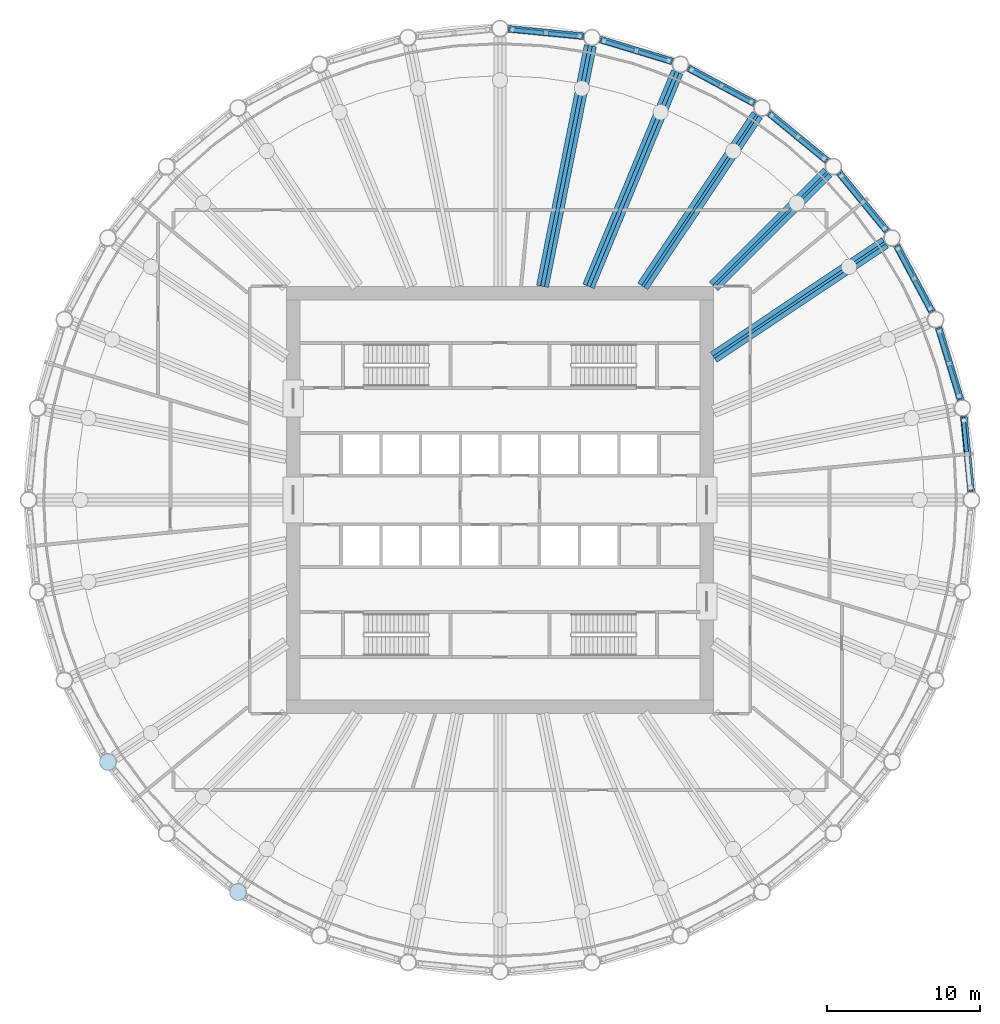
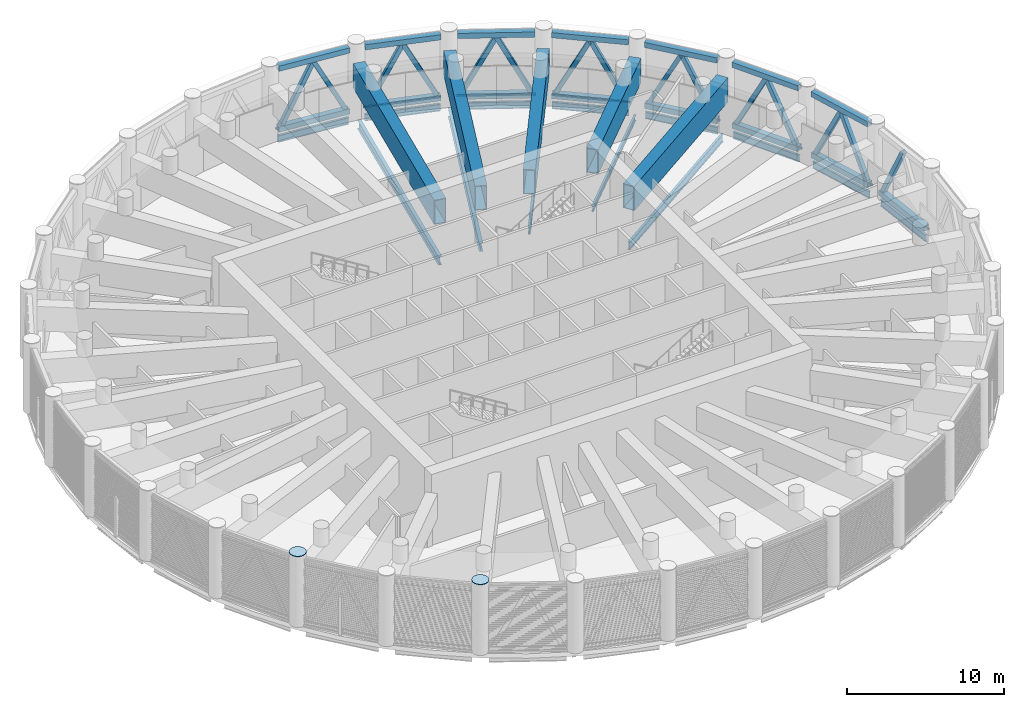
# One storey, part 4 of 23: 38 members, 18 beams, 2 plates, 8 elements without a shape of their own.
"""IFC4 building model written with IfcOpenShell, lengths in metres."""

from ifc_helpers import new_model, si_unit, direction, frame, origin, origin_2d, place, context, subcontext, project, spatial, polyline, rectangle, hollow_rectangle, i_section, outline, extrude, material, layer, layer_set, material_profile, profile_set, type_object, element, aggregate, save


model = new_model("IFC4")

# Units and contexts
model_context = context("Model", 3, precision=1e-05, world=origin(), true_north=direction((0.0, 1.0)))
body_context = subcontext(model_context, "Body", "Model", "MODEL_VIEW")
ifc_project = project(units=[si_unit("LENGTHUNIT", "METRE"), si_unit("AREAUNIT", "SQUARE_METRE"), si_unit("VOLUMEUNIT", "CUBIC_METRE"), si_unit("PLANEANGLEUNIT", "RADIAN"), si_unit("MASSUNIT", "GRAM", prefix="KILO")], contexts=[model_context])

# Site, building, storey
site_placement = place(None, origin())
site = spatial("IfcSite", under=ifc_project, at=site_placement, CompositionType="ELEMENT")
building_placement = place(site_placement, origin())
building = spatial("IfcBuilding", under=site, at=building_placement, Name="Corvane Civic Tower", CompositionType="ELEMENT")
storey_placement = place(building_placement, frame((0.0, 0.0, 196.0)))
storey = spatial("IfcBuildingStorey", under=building, at=storey_placement, Name="L46", CompositionType="ELEMENT", Elevation=196.0)

# Members
ifc_material_1 = material(Name="Steel ASTM A500 Gr C", Category="steel")
ifc_material_profile_1 = material_profile(ifc_material_1, hollow_rectangle(XDim=0.406494140625, YDim=0.406494140625, WallThickness=0.0146484375, at=origin_2d()), Name="HSS16X16X5/8")
ifc_profile_set_1 = profile_set([ifc_material_profile_1], Name="Steel ASTM A500 Gr C")
member_type_1 = type_object("IfcMemberType", Name="BELT CHORD HSS16X16X5/8", PredefinedType="CHORD", material=ifc_profile_set_1)
for number, where, z_axis, x_axis, name in (
    (1, (0.54736328125, 30.845947265625, 4.94677734375), (0.995186236294, -0.09800181167, 0.0), (0.09800181167, 0.995186236294, 0.0), "Belt truss BT-L46"),
    (2, (0.54736328125, 30.845947265625, 0.203125), (0.995186236294, -0.09800181167, 0.0), (0.09800181167, 0.995186236294, 0.0), "Belt truss BT-L46"),
):
    element("IfcMember", number, at=place(storey_placement, frame(where, z_axis=z_axis, x_axis=x_axis)), inside=storey, type_object=member_type_1, Name=name, PredefinedType="CHORD", context=body_context, shape_type="SweptSolid", body=[
        extrude(hollow_rectangle(XDim=0.406494140625, YDim=0.406494140625, WallThickness=0.0146484375, at=origin_2d()), origin(), (0.0, 0.0, 1.0), 4.95751953125),
    ])
for number, where, z_axis, x_axis, name in (
    (3, (6.5546875, 30.146484375, 4.94677734375), (0.956944842086, -0.290269821381, 0.0), (0.290269821381, 0.956944842086, 0.0), "Belt truss BT-L46"),
    (4, (6.5546875, 30.146484375, 0.203125), (0.956944842086, -0.290269821381, 0.0), (0.290269821381, 0.956944842086, 0.0), "Belt truss BT-L46"),
):
    element("IfcMember", number, at=place(storey_placement, frame(where, z_axis=z_axis, x_axis=x_axis)), inside=storey, type_object=member_type_1, Name=name, PredefinedType="CHORD", context=body_context, shape_type="SweptSolid", body=[
        extrude(hollow_rectangle(XDim=0.406494140625, YDim=0.406494140625, WallThickness=0.0146484375, at=origin_2d()), origin(), (0.0, 0.0, 1.0), 4.957275390625),
    ])
for number, where, z_axis, x_axis, name in (
    (5, (12.31005859375, 28.28857421875, 4.94677734375), (0.881921784846, -0.471395763042, 0.0), (0.471395763042, 0.881921784846, 0.0), "Belt truss BT-L46"),
    (6, (12.31005859375, 28.28857421875, 0.203125), (0.881921784846, -0.471395763042, 0.0), (0.471395763042, 0.881921784846, 0.0), "Belt truss BT-L46"),
    (7, (17.59228515625, 25.343505859375, 4.94677734375), (0.77301516208, -0.634387546532, 0.0), (0.634387546532, 0.77301516208, 0.0), "Belt truss BT-L46"),
    (8, (17.59228515625, 25.343505859375, 0.203125), (0.77301516208, -0.634387546532, 0.0), (0.634387546532, 0.77301516208, 0.0), "Belt truss BT-L46"),
    (9, (22.198486328125, 21.424560546875, 4.94677734375), (0.634387546532, -0.77301516208, 0.0), (0.77301516208, 0.634387546532, 0.0), "Belt truss BT-L46"),
    (10, (22.198486328125, 21.424560546875, 0.203125), (0.634387546532, -0.77301516208, 0.0), (0.77301516208, 0.634387546532, 0.0), "Belt truss BT-L46"),
    (11, (25.95166015625, 16.68212890625, 4.94677734375), (0.471395763042, -0.881921784846, 0.0), (0.881921784846, 0.471395763042, 0.0), "Belt truss BT-L46"),
    (12, (25.95166015625, 16.68212890625, 0.203125), (0.471395763042, -0.881921784846, 0.0), (0.881921784846, 0.471395763042, 0.0), "Belt truss BT-L46"),
):
    element("IfcMember", number, at=place(storey_placement, frame(where, z_axis=z_axis, x_axis=x_axis)), inside=storey, type_object=member_type_1, Name=name, PredefinedType="CHORD", context=body_context, shape_type="SweptSolid", body=[
        extrude(hollow_rectangle(XDim=0.406494140625, YDim=0.406494140625, WallThickness=0.0146484375, at=origin_2d()), origin(), (0.0, 0.0, 1.0), 4.95751953125),
    ])
for number, where, z_axis, x_axis, name in (
    (13, (28.70751953125, 11.298583984375, 4.94677734375), (0.290269821381, -0.956944842086, 0.0), (0.956944842086, 0.290269821381, 0.0), "Belt truss BT-L46"),
    (14, (28.70751953125, 11.298583984375, 0.203125), (0.290269821381, -0.956944842086, 0.0), (0.956944842086, 0.290269821381, 0.0), "Belt truss BT-L46"),
):
    element("IfcMember", number, at=place(storey_placement, frame(where, z_axis=z_axis, x_axis=x_axis)), inside=storey, type_object=member_type_1, Name=name, PredefinedType="CHORD", context=body_context, shape_type="SweptSolid", body=[
        extrude(hollow_rectangle(XDim=0.406494140625, YDim=0.406494140625, WallThickness=0.0146484375, at=origin_2d()), origin(), (0.0, 0.0, 1.0), 4.957275390625),
    ])
member_1_placement = place(storey_placement, frame((30.360107421875, 5.48095703125, 0.203125), z_axis=(0.09800181167, -0.995186236294, 0.0), x_axis=(0.995186236294, 0.09800181167, 0.0)))
element("IfcMember", 15, at=member_1_placement, inside=storey, type_object=member_type_1, Name="Belt truss BT-L46", PredefinedType="CHORD", context=body_context, shape_type="SweptSolid", body=[
    extrude(hollow_rectangle(XDim=0.406494140625, YDim=0.406494140625, WallThickness=0.0146484375, at=origin_2d()), origin(), (0.0, 0.0, 1.0), 4.95751953125),
])
ifc_material_2 = material(Name="Steel ASTM A500 Gr C", Category="steel")
ifc_material_profile_2 = material_profile(ifc_material_2, hollow_rectangle(XDim=0.3046875, YDim=0.3046875, WallThickness=0.01171875, at=origin_2d()), Name="HSS12X12X1/2")
ifc_profile_set_2 = profile_set([ifc_material_profile_2], Name="Steel ASTM A500 Gr C")
member_type_2 = type_object("IfcMemberType", Name="BELT DIAGONAL HSS12X12X1/2", PredefinedType="BRACE", material=ifc_profile_set_2)
for number, where, z_axis, x_axis, name in (
    (16, (0.796142578125, 30.821533203125, 0.406494140625), (0.454856799935, -0.04480977831, 0.889436549351), (0.098039445672, 0.995182529535, 0.0), "Belt truss BT-L46"),
    (17, (5.232177734375, 30.384521484375, 0.406494140625), (-0.454856799935, 0.04480977831, 0.889436549351), (-0.098039445672, -0.995182529535, 0.0), "Belt truss BT-L46"),
    (18, (6.7939453125, 30.073974609375, 0.406494140625), (0.437382422958, -0.132676673631, 0.88943438002), (0.290281003113, 0.956941450263, 0.0), "Belt truss BT-L46"),
    (19, (11.059326171875, 28.780029296875, 0.406494140625), (-0.437341932882, 0.132679578951, 0.889453856629), (-0.290311434389, -0.956932218636, 0.0), "Belt truss BT-L46"),
    (20, (12.530517578125, 28.170654296875, 0.406494140625), (0.403089677628, -0.215438440297, 0.889440830091), (0.471366987968, 0.881937164799, 0.0), "Belt truss BT-L46"),
    (21, (16.461669921875, 26.069580078125, 0.406494140625), (-0.403089677628, 0.215438440297, 0.889440830091), (-0.471366987968, -0.881937164799, 0.0), "Belt truss BT-L46"),
    (22, (17.78564453125, 25.184814453125, 0.406494140625), (0.353278113632, -0.289942397399, 0.889453754064), (0.634412297513, 0.772994849119, 0.0), "Belt truss BT-L46"),
    (23, (21.231201171875, 22.357177734375, 0.406494140625), (-0.353321931501, 0.289937268715, 0.889438020848), (-0.634358576792, -0.773038935663, 0.0), "Belt truss BT-L46"),
    (24, (22.357177734375, 21.231201171875, 0.406494140625), (0.289937268715, -0.353321931501, 0.889438020848), (0.773038935663, 0.634358576792, 0.0), "Belt truss BT-L46"),
    (25, (25.184814453125, 17.78564453125, 0.406494140625), (-0.289942397399, 0.353278113632, 0.889453754064), (-0.772994849119, -0.634412297513, 0.0), "Belt truss BT-L46"),
    (26, (26.069580078125, 16.461669921875, 0.406494140625), (0.215438440297, -0.403089677628, 0.889440830091), (0.881937164799, 0.471366987968, 0.0), "Belt truss BT-L46"),
    (27, (28.170654296875, 12.530517578125, 0.406494140625), (-0.215438440297, 0.403089677628, 0.889440830091), (-0.881937164799, -0.471366987968, 0.0), "Belt truss BT-L46"),
    (28, (28.780029296875, 11.059326171875, 0.406494140625), (0.132679578951, -0.437341932882, 0.889453856629), (0.956932218636, 0.290311434389, 0.0), "Belt truss BT-L46"),
    (29, (30.073974609375, 6.7939453125, 0.406494140625), (-0.132676673631, 0.437382422958, 0.88943438002), (-0.956941450263, -0.290281003113, 0.0), "Belt truss BT-L46"),
    (30, (30.384521484375, 5.232177734375, 0.406494140625), (0.04480977831, -0.454856799935, 0.889436549351), (0.995182529535, 0.098039445672, 0.0), "Belt truss BT-L46"),
):
    element("IfcMember", number, at=place(storey_placement, frame(where, z_axis=z_axis, x_axis=x_axis)), inside=storey, type_object=member_type_2, Name=name, PredefinedType="BRACE", context=body_context, shape_type="SweptSolid", body=[
        extrude(hollow_rectangle(XDim=0.3046875, YDim=0.3046875, WallThickness=0.01171875, at=origin_2d()), origin(), (0.0, 0.0, 1.0), 4.876220703125),
    ])

# Beams
ifc_material_3 = material(Name="Steel ASTM A992 Gr 50", Category="steel")
ifc_material_profile_3 = material_profile(ifc_material_3, i_section(OverallWidth=0.165771484375, OverallDepth=0.5283203125, WebThickness=0.009765625, FlangeThickness=0.013671875, at=origin_2d()), Name="W21X50")
ifc_profile_set_3 = profile_set([ifc_material_profile_3], Name="Steel ASTM A992 Gr 50")
beam_type_1 = type_object("IfcBeamType", Name="EDGE BEAM W21X50", PredefinedType="BEAM", material=ifc_profile_set_3)
beam_1_placement = place(storey_placement, frame((0.54736328125, 30.845947265625, -0.6142578125), z_axis=(0.995186236294, -0.09800181167, 0.0), x_axis=(0.09800181167, 0.995186236294, 0.0)))
element("IfcBeam", 31, at=beam_1_placement, inside=storey, type_object=beam_type_1, Name="BM-L46-E01", PredefinedType="BEAM", context=body_context, shape_type="SweptSolid", body=[
    extrude(i_section(OverallWidth=0.165771484375, OverallDepth=0.5283203125, WebThickness=0.009765625, FlangeThickness=0.013671875, at=origin_2d()), origin(), (0.0, 0.0, 1.0), 4.95751953125),
])
beam_2_placement = place(storey_placement, frame((6.5546875, 30.146484375, -0.6142578125), z_axis=(0.956944842086, -0.290269821381, 0.0), x_axis=(0.290269821381, 0.956944842086, 0.0)))
element("IfcBeam", 32, at=beam_2_placement, inside=storey, type_object=beam_type_1, Name="BM-L46-E02", PredefinedType="BEAM", context=body_context, shape_type="SweptSolid", body=[
    extrude(i_section(OverallWidth=0.165771484375, OverallDepth=0.5283203125, WebThickness=0.009765625, FlangeThickness=0.013671875, at=origin_2d()), origin(), (0.0, 0.0, 1.0), 4.957275390625),
])
for number, where, z_axis, x_axis, name in (
    (33, (12.31005859375, 28.28857421875, -0.6142578125), (0.881921784846, -0.471395763042, 0.0), (0.471395763042, 0.881921784846, 0.0), "BM-L46-E03"),
    (34, (17.59228515625, 25.343505859375, -0.6142578125), (0.77301516208, -0.634387546532, 0.0), (0.634387546532, 0.77301516208, 0.0), "BM-L46-E04"),
    (35, (22.198486328125, 21.424560546875, -0.6142578125), (0.634387546532, -0.77301516208, 0.0), (0.77301516208, 0.634387546532, 0.0), "BM-L46-E05"),
    (36, (25.95166015625, 16.68212890625, -0.6142578125), (0.471395763042, -0.881921784846, 0.0), (0.881921784846, 0.471395763042, 0.0), "BM-L46-E06"),
):
    element("IfcBeam", number, at=place(storey_placement, frame(where, z_axis=z_axis, x_axis=x_axis)), inside=storey, type_object=beam_type_1, Name=name, PredefinedType="BEAM", context=body_context, shape_type="SweptSolid", body=[
        extrude(i_section(OverallWidth=0.165771484375, OverallDepth=0.5283203125, WebThickness=0.009765625, FlangeThickness=0.013671875, at=origin_2d()), origin(), (0.0, 0.0, 1.0), 4.95751953125),
    ])
beam_3_placement = place(storey_placement, frame((28.70751953125, 11.298583984375, -0.6142578125), z_axis=(0.290269821381, -0.956944842086, 0.0), x_axis=(0.956944842086, 0.290269821381, 0.0)))
element("IfcBeam", 37, at=beam_3_placement, inside=storey, type_object=beam_type_1, Name="BM-L46-E07", PredefinedType="BEAM", context=body_context, shape_type="SweptSolid", body=[
    extrude(i_section(OverallWidth=0.165771484375, OverallDepth=0.5283203125, WebThickness=0.009765625, FlangeThickness=0.013671875, at=origin_2d()), origin(), (0.0, 0.0, 1.0), 4.957275390625),
])
beam_4_placement = place(storey_placement, frame((30.360107421875, 5.48095703125, -0.6142578125), z_axis=(0.09800181167, -0.995186236294, 0.0), x_axis=(0.995186236294, 0.09800181167, 0.0)))
element("IfcBeam", 38, at=beam_4_placement, inside=storey, type_object=beam_type_1, Name="BM-L46-E08", PredefinedType="BEAM", context=body_context, shape_type="SweptSolid", body=[
    extrude(i_section(OverallWidth=0.165771484375, OverallDepth=0.5283203125, WebThickness=0.009765625, FlangeThickness=0.013671875, at=origin_2d()), origin(), (0.0, 0.0, 1.0), 4.95751953125),
])
ifc_material_4 = material(Name="Steel ASTM A992 Gr 50", Category="steel")
ifc_material_profile_4 = material_profile(ifc_material_4, i_section(OverallWidth=0.15283203125, OverallDepth=0.45458984375, WebThickness=0.008056640625, FlangeThickness=0.013427734375, at=origin_2d()), Name="W18X40")
ifc_profile_set_4 = profile_set([ifc_material_profile_4], Name="Steel ASTM A992 Gr 50")
beam_type_2 = type_object("IfcBeamType", Name="FLOOR GIRDER W18X40", PredefinedType="BEAM", material=ifc_profile_set_4)
beam_5_placement = place(storey_placement, frame((14.0, 14.0, -0.577392578125), z_axis=(0.707106781187, 0.707106781187, 0.0), x_axis=(-0.707106781187, 0.707106781187, 0.0)))
element("IfcBeam", 39, at=beam_5_placement, inside=storey, type_object=beam_type_2, Name="BM-L46-G05", PredefinedType="BEAM", context=body_context, shape_type="SweptSolid", body=[
    extrude(i_section(OverallWidth=0.15283203125, OverallDepth=0.45458984375, WebThickness=0.008056640625, FlangeThickness=0.013427734375, at=origin_2d()), origin(), (0.0, 0.0, 1.0), 10.551025390625),
])
ifc_material_5 = material(Name="Steel ASTM A992 Gr 50", Category="steel")
ifc_material_profile_5 = material_profile(ifc_material_5, i_section(OverallWidth=0.177978515625, OverallDepth=0.599365234375, WebThickness=0.010009765625, FlangeThickness=0.012939453125, at=origin_2d()), Name="W24X55")
ifc_profile_set_5 = profile_set([ifc_material_profile_5], Name="Steel ASTM A992 Gr 50")
beam_type_3 = type_object("IfcBeamType", Name="FLOOR GIRDER W24X55", PredefinedType="BEAM", material=ifc_profile_set_5)
for number, where, z_axis, x_axis, name in (
    (40, (9.3544921875, 14.0, -0.649658203125), (0.555571323015, 0.83146888399, 0.0), (-0.83146888399, 0.555571323015, 0.0), "BM-L46-G04"),
    (41, (14.0, 9.3544921875, -0.649658203125), (0.83146888399, 0.555571323015, 0.0), (-0.555571323015, 0.83146888399, 0.0), "BM-L46-G06"),
):
    element("IfcBeam", number, at=place(storey_placement, frame(where, z_axis=z_axis, x_axis=x_axis)), inside=storey, type_object=beam_type_3, Name=name, PredefinedType="BEAM", context=body_context, shape_type="SweptSolid", body=[
        extrude(i_section(OverallWidth=0.177978515625, OverallDepth=0.599365234375, WebThickness=0.010009765625, FlangeThickness=0.012939453125, at=origin_2d()), origin(), (0.0, 0.0, 1.0), 13.512451171875),
    ])
ifc_material_6 = material(Name="Steel ASTM A992 Gr 50", Category="steel")
ifc_material_profile_6 = material_profile(ifc_material_6, i_section(OverallWidth=0.25390625, OverallDepth=0.67822265625, WebThickness=0.01171875, FlangeThickness=0.016357421875, at=origin_2d()), Name="W27X84")
ifc_profile_set_6 = profile_set([ifc_material_profile_6], Name="Steel ASTM A992 Gr 50")
beam_type_4 = type_object("IfcBeamType", Name="FLOOR GIRDER W27X84", PredefinedType="BEAM", material=ifc_profile_set_6)
beam_6_placement = place(storey_placement, frame((2.78466796875, 14.0, -0.689208984375), z_axis=(0.195090912248, 0.980785162999, 0.0), x_axis=(-0.980785162999, 0.195090912248, 0.0)))
element("IfcBeam", 42, at=beam_6_placement, inside=storey, type_object=beam_type_4, Name="BM-L46-G02", PredefinedType="BEAM", context=body_context, shape_type="SweptSolid", body=[
    extrude(i_section(OverallWidth=0.25390625, OverallDepth=0.67822265625, WebThickness=0.01171875, FlangeThickness=0.016357421875, at=origin_2d()), origin(), (0.0, 0.0, 1.0), 16.07568359375),
])
beam_7_placement = place(storey_placement, frame((5.799072265625, 14.0, -0.689208984375), z_axis=(0.38268097323, 0.923880551114, 0.0), x_axis=(-0.923880551114, 0.38268097323, 0.0)))
element("IfcBeam", 43, at=beam_7_placement, inside=storey, type_object=beam_type_4, Name="BM-L46-G03", PredefinedType="BEAM", context=body_context, shape_type="SweptSolid", body=[
    extrude(i_section(OverallWidth=0.25390625, OverallDepth=0.67822265625, WebThickness=0.01171875, FlangeThickness=0.016357421875, at=origin_2d()), origin(), (0.0, 0.0, 1.0), 15.196533203125),
])

# Curtain wall, member
ifc_material_7 = material(Name="Anodised aluminium bronze", Category="aluminium")
curtain_wall_type = type_object("IfcCurtainWallType", Name="TOWER CW-LV LOUVRE SCREEN WALL", PredefinedType="NOTDEFINED", material=ifc_material_7)
curtain_wall_1_placement = place(storey_placement, origin())
curtain_wall_1 = element("IfcCurtainWall", 44, at=curtain_wall_1_placement, inside=storey, type_object=curtain_wall_type, Name="Louvre screen wall CW-LV L46 bay 01", PredefinedType="NOTDEFINED")
ifc_material_8 = material(Name="Anodised aluminium bronze", Category="aluminium")
ifc_material_profile_7 = material_profile(ifc_material_8, rectangle(XDim=0.139892578125, YDim=0.1201171875, at=origin_2d()), Name="TOWER CW-LV TRANSOM 140x120")
ifc_profile_set_7 = profile_set([ifc_material_profile_7], Name="Anodised aluminium bronze")
member_type_3 = type_object("IfcMemberType", Name="TOWER CW-LV TRANSOM 140x120", PredefinedType="USERDEFINED", material=ifc_profile_set_7)
member_2_placement = place(storey_placement, frame((0.505126953125, 31.0302734375, 0.06005859375), z_axis=(0.995187423416, -0.097989755963, 0.0), x_axis=(0.097989755963, 0.995187423416, 0.0)))
member_2 = element("IfcMember", 45, at=member_2_placement, type_object=member_type_3, Name="Transom CW-LV L46 01.1", ObjectType="TRANSOM", PredefinedType="USERDEFINED", context=body_context, shape_type="SweptSolid", body=[
    extrude(rectangle(XDim=0.139892578125, YDim=0.1201171875, at=origin_2d()), origin(), (0.0, 0.0, 1.0), 5.07763671875),
])
aggregate(curtain_wall_1, [member_2])

curtain_wall_2_placement = place(storey_placement, origin())
curtain_wall_2 = element("IfcCurtainWall", 46, at=curtain_wall_2_placement, inside=storey, type_object=curtain_wall_type, Name="Louvre screen wall CW-LV L46 bay 02", PredefinedType="NOTDEFINED")
member_3_placement = place(storey_placement, frame((6.54931640625, 30.33544921875, 0.06005859375), z_axis=(0.956939031389, -0.290288977061, 0.0), x_axis=(0.290288977061, 0.956939031389, 0.0)))
member_3 = element("IfcMember", 47, at=member_3_placement, type_object=member_type_3, Name="Transom CW-LV L46 02.1", ObjectType="TRANSOM", PredefinedType="USERDEFINED", context=body_context, shape_type="SweptSolid", body=[
    extrude(rectangle(XDim=0.139892578125, YDim=0.1201171875, at=origin_2d()), origin(), (0.0, 0.0, 1.0), 5.077392578125),
])
aggregate(curtain_wall_2, [member_3])

curtain_wall_3_placement = place(storey_placement, origin())
curtain_wall_3 = element("IfcCurtainWall", 48, at=curtain_wall_3_placement, inside=storey, type_object=curtain_wall_type, Name="Louvre screen wall CW-LV L46 bay 03", PredefinedType="NOTDEFINED")
member_4_placement = place(storey_placement, frame((12.341552734375, 28.474853515625, 0.06005859375), z_axis=(0.881921329426, -0.471396615074, 0.0), x_axis=(0.471396615074, 0.881921329426, 0.0)))
member_4 = element("IfcMember", 49, at=member_4_placement, type_object=member_type_3, Name="Transom CW-LV L46 03.1", ObjectType="TRANSOM", PredefinedType="USERDEFINED", context=body_context, shape_type="SweptSolid", body=[
    extrude(rectangle(XDim=0.139892578125, YDim=0.1201171875, at=origin_2d()), origin(), (0.0, 0.0, 1.0), 5.07763671875),
])
aggregate(curtain_wall_3, [member_4])

curtain_wall_4_placement = place(storey_placement, origin())
curtain_wall_4 = element("IfcCurtainWall", 50, at=curtain_wall_4_placement, inside=storey, type_object=curtain_wall_type, Name="Louvre screen wall CW-LV L46 bay 04", PredefinedType="NOTDEFINED")
member_5_placement = place(storey_placement, frame((17.65966796875, 25.519775390625, 0.06005859375), z_axis=(0.773015929719, -0.634386611146, 0.0), x_axis=(0.634386611146, 0.773015929719, 0.0)))
member_5 = element("IfcMember", 51, at=member_5_placement, type_object=member_type_3, Name="Transom CW-LV L46 04.1", ObjectType="TRANSOM", PredefinedType="USERDEFINED", context=body_context, shape_type="SweptSolid", body=[
    extrude(rectangle(XDim=0.139892578125, YDim=0.1201171875, at=origin_2d()), origin(), (0.0, 0.0, 1.0), 5.0771484375),
])
aggregate(curtain_wall_4, [member_5])

curtain_wall_5_placement = place(storey_placement, origin())
curtain_wall_5 = element("IfcCurtainWall", 52, at=curtain_wall_5_placement, inside=storey, type_object=curtain_wall_type, Name="Louvre screen wall CW-LV L46 bay 05", PredefinedType="NOTDEFINED")
member_6_placement = place(storey_placement, frame((22.298828125, 21.58447265625, 0.06005859375), z_axis=(0.634386611146, -0.773015929719, 0.0), x_axis=(0.773015929719, 0.634386611146, 0.0)))
member_6 = element("IfcMember", 53, at=member_6_placement, type_object=member_type_3, Name="Transom CW-LV L46 05.1", ObjectType="TRANSOM", PredefinedType="USERDEFINED", context=body_context, shape_type="SweptSolid", body=[
    extrude(rectangle(XDim=0.139892578125, YDim=0.1201171875, at=origin_2d()), origin(), (0.0, 0.0, 1.0), 5.0771484375),
])
aggregate(curtain_wall_5, [member_6])

curtain_wall_6_placement = place(storey_placement, origin())
curtain_wall_6 = element("IfcCurtainWall", 54, at=curtain_wall_6_placement, inside=storey, type_object=curtain_wall_type, Name="Louvre screen wall CW-LV L46 bay 06", PredefinedType="NOTDEFINED")
member_7_placement = place(storey_placement, frame((26.081298828125, 16.819580078125, 0.06005859375), z_axis=(0.471396615074, -0.881921329426, 0.0), x_axis=(0.881921329426, 0.471396615074, 0.0)))
member_7 = element("IfcMember", 55, at=member_7_placement, type_object=member_type_3, Name="Transom CW-LV L46 06.1", ObjectType="TRANSOM", PredefinedType="USERDEFINED", context=body_context, shape_type="SweptSolid", body=[
    extrude(rectangle(XDim=0.139892578125, YDim=0.1201171875, at=origin_2d()), origin(), (0.0, 0.0, 1.0), 5.07763671875),
])
aggregate(curtain_wall_6, [member_7])

curtain_wall_7_placement = place(storey_placement, origin())
curtain_wall_7 = element("IfcCurtainWall", 56, at=curtain_wall_7_placement, inside=storey, type_object=curtain_wall_type, Name="Louvre screen wall CW-LV L46 bay 07", PredefinedType="NOTDEFINED")
member_8_placement = place(storey_placement, frame((28.861572265625, 11.407958984375, 0.06005859375), z_axis=(0.290288977061, -0.956939031389, 0.0), x_axis=(0.956939031389, 0.290288977061, 0.0)))
member_8 = element("IfcMember", 57, at=member_8_placement, type_object=member_type_3, Name="Transom CW-LV L46 07.1", ObjectType="TRANSOM", PredefinedType="USERDEFINED", context=body_context, shape_type="SweptSolid", body=[
    extrude(rectangle(XDim=0.139892578125, YDim=0.1201171875, at=origin_2d()), origin(), (0.0, 0.0, 1.0), 5.077392578125),
])
aggregate(curtain_wall_7, [member_8])

curtain_wall_8_placement = place(storey_placement, origin())
curtain_wall_8 = element("IfcCurtainWall", 58, at=curtain_wall_8_placement, inside=storey, type_object=curtain_wall_type, Name="Louvre screen wall CW-LV L46 bay 08", PredefinedType="NOTDEFINED")
member_9_placement = place(storey_placement, frame((30.53271484375, 5.558349609375, 0.06005859375), z_axis=(0.097989755963, -0.995187423416, 0.0), x_axis=(0.995187423416, 0.097989755963, 0.0)))
member_9 = element("IfcMember", 59, at=member_9_placement, type_object=member_type_3, Name="Transom CW-LV L46 08.1", ObjectType="TRANSOM", PredefinedType="USERDEFINED", context=body_context, shape_type="SweptSolid", body=[
    extrude(rectangle(XDim=0.139892578125, YDim=0.1201171875, at=origin_2d()), origin(), (0.0, 0.0, 1.0), 5.07763671875),
])
aggregate(curtain_wall_8, [member_9])

# Beams
ifc_material_9 = material(Name="Steel ASTM A572 Gr 50", Category="steel")
ifc_material_profile_8 = material_profile(ifc_material_9, hollow_rectangle(XDim=0.800048828125, YDim=1.89990234375, WallThickness=0.050048828125, at=origin_2d()), Name="BOX1900X800X50")
ifc_profile_set_8 = profile_set([ifc_material_profile_8], Name="Steel ASTM A572 Gr 50")
beam_type_5 = type_object("IfcBeamType", Name="TRANSFER GIRDER BOX1900X800X50", PredefinedType="BEAM", material=ifc_profile_set_8)
beam_8_placement = place(storey_placement, frame((2.78466796875, 14.0, 3.14990234375), z_axis=(0.195090912248, 0.980785162999, 0.0), x_axis=(-0.980785162999, 0.195090912248, 0.0)))
element("IfcBeam", 60, at=beam_8_placement, inside=storey, type_object=beam_type_5, Name="Transfer girder TG-L46-2", PredefinedType="BEAM", context=body_context, shape_type="SweptSolid", body=[
    extrude(hollow_rectangle(XDim=0.800048828125, YDim=1.89990234375, WallThickness=0.050048828125, at=origin_2d()), origin(), (0.0, 0.0, 1.0), 16.07568359375),
])
beam_9_placement = place(storey_placement, frame((5.799072265625, 14.0, 3.14990234375), z_axis=(0.38268097323, 0.923880551114, 0.0), x_axis=(-0.923880551114, 0.38268097323, 0.0)))
element("IfcBeam", 61, at=beam_9_placement, inside=storey, type_object=beam_type_5, Name="Transfer girder TG-L46-3", PredefinedType="BEAM", context=body_context, shape_type="SweptSolid", body=[
    extrude(hollow_rectangle(XDim=0.800048828125, YDim=1.89990234375, WallThickness=0.050048828125, at=origin_2d()), origin(), (0.0, 0.0, 1.0), 15.196533203125),
])
beam_10_placement = place(storey_placement, frame((9.3544921875, 14.0, 3.14990234375), z_axis=(0.555571323015, 0.83146888399, 0.0), x_axis=(-0.83146888399, 0.555571323015, 0.0)))
element("IfcBeam", 62, at=beam_10_placement, inside=storey, type_object=beam_type_5, Name="Transfer girder TG-L46-4", PredefinedType="BEAM", context=body_context, shape_type="SweptSolid", body=[
    extrude(hollow_rectangle(XDim=0.800048828125, YDim=1.89990234375, WallThickness=0.050048828125, at=origin_2d()), origin(), (0.0, 0.0, 1.0), 13.512451171875),
])
beam_11_placement = place(storey_placement, frame((14.0, 14.0, 3.14990234375), z_axis=(0.707106781187, 0.707106781187, 0.0), x_axis=(-0.707106781187, 0.707106781187, 0.0)))
element("IfcBeam", 63, at=beam_11_placement, inside=storey, type_object=beam_type_5, Name="Transfer girder TG-L46-5", PredefinedType="BEAM", context=body_context, shape_type="SweptSolid", body=[
    extrude(hollow_rectangle(XDim=0.800048828125, YDim=1.89990234375, WallThickness=0.050048828125, at=origin_2d()), origin(), (0.0, 0.0, 1.0), 10.551025390625),
])
beam_12_placement = place(storey_placement, frame((14.0, 9.3544921875, 3.14990234375), z_axis=(0.83146888399, 0.555571323015, 0.0), x_axis=(-0.555571323015, 0.83146888399, 0.0)))
element("IfcBeam", 64, at=beam_12_placement, inside=storey, type_object=beam_type_5, Name="Transfer girder TG-L46-6", PredefinedType="BEAM", context=body_context, shape_type="SweptSolid", body=[
    extrude(hollow_rectangle(XDim=0.800048828125, YDim=1.89990234375, WallThickness=0.050048828125, at=origin_2d()), origin(), (0.0, 0.0, 1.0), 13.512451171875),
])

# Plates
ifc_material_10 = material(Name="Steel ASTM A572 Gr 50", Category="steel")
ifc_layer = layer(ifc_material_10, 0.044921875)
ifc_layer_set = layer_set([ifc_layer], Name="Steel ASTM A572 Gr 50")
plate_type = type_object("IfcPlateType", Name="COLUMN CAP PLATE 45", PredefinedType="SHEET", material=ifc_layer_set)
plate_1_placement = place(storey_placement, frame((0.0, 0.0, 5.5)))
element("IfcPlate", 65, at=plate_1_placement, inside=storey, type_object=plate_type, Name="PL-L46-cap-C20", PredefinedType="SHEET", context=body_context, shape_type="SweptSolid", body=[
    extrude(outline(polyline([(-16.6171875, -25.6923828125), (-16.621826171875, -25.62060546875), (-16.635986328125, -25.550048828125), (-16.6591796875, -25.48193359375), (-16.69091796875, -25.41748046875), (-16.73095703125, -25.357666015625), (-16.7783203125, -25.303466796875), (-16.83251953125, -25.256103515625), (-16.89208984375, -25.216064453125), (-16.956787109375, -25.18408203125), (-17.02490234375, -25.1611328125), (-17.095458984375, -25.147216796875), (-17.167236328125, -25.142333984375), (-17.239013671875, -25.147216796875), (-17.3095703125, -25.1611328125), (-17.377685546875, -25.18408203125), (-17.442138671875, -25.216064453125), (-17.502197265625, -25.256103515625), (-17.55615234375, -25.303466796875), (-17.603515625, -25.357666015625), (-17.6435546875, -25.41748046875), (-17.67529296875, -25.48193359375), (-17.698486328125, -25.550048828125), (-17.71240234375, -25.62060546875), (-17.71728515625, -25.6923828125), (-17.71240234375, -25.76416015625), (-17.698486328125, -25.834716796875), (-17.67529296875, -25.90283203125), (-17.6435546875, -25.96728515625), (-17.603515625, -26.027099609375), (-17.55615234375, -26.081298828125), (-17.502197265625, -26.128662109375), (-17.442138671875, -26.168701171875), (-17.377685546875, -26.200439453125), (-17.3095703125, -26.2236328125), (-17.239013671875, -26.23779296875), (-17.167236328125, -26.242431640625), (-17.095458984375, -26.23779296875), (-17.02490234375, -26.2236328125), (-16.956787109375, -26.200439453125), (-16.89208984375, -26.168701171875), (-16.83251953125, -26.128662109375), (-16.7783203125, -26.081298828125), (-16.73095703125, -26.027099609375), (-16.69091796875, -25.96728515625), (-16.6591796875, -25.90283203125), (-16.635986328125, -25.834716796875), (-16.621826171875, -25.76416015625), (-16.6171875, -25.6923828125)])), origin(), (0.0, 0.0, 1.0), 0.044921875),
])
plate_2_placement = place(storey_placement, frame((0.0, 0.0, 5.5)))
element("IfcPlate", 66, at=plate_2_placement, inside=storey, type_object=plate_type, Name="PL-L46-cap-C22", PredefinedType="SHEET", context=body_context, shape_type="SweptSolid", body=[
    extrude(outline(polyline([(-25.142333984375, -17.167236328125), (-25.147216796875, -17.095458984375), (-25.1611328125, -17.02490234375), (-25.18408203125, -16.956787109375), (-25.216064453125, -16.89208984375), (-25.256103515625, -16.83251953125), (-25.303466796875, -16.7783203125), (-25.357666015625, -16.73095703125), (-25.41748046875, -16.69091796875), (-25.48193359375, -16.6591796875), (-25.550048828125, -16.635986328125), (-25.62060546875, -16.621826171875), (-25.6923828125, -16.6171875), (-25.76416015625, -16.621826171875), (-25.834716796875, -16.635986328125), (-25.90283203125, -16.6591796875), (-25.96728515625, -16.69091796875), (-26.027099609375, -16.73095703125), (-26.081298828125, -16.7783203125), (-26.128662109375, -16.83251953125), (-26.168701171875, -16.89208984375), (-26.200439453125, -16.956787109375), (-26.2236328125, -17.02490234375), (-26.23779296875, -17.095458984375), (-26.242431640625, -17.167236328125), (-26.23779296875, -17.239013671875), (-26.2236328125, -17.3095703125), (-26.200439453125, -17.377685546875), (-26.168701171875, -17.442138671875), (-26.128662109375, -17.502197265625), (-26.081298828125, -17.55615234375), (-26.027099609375, -17.603515625), (-25.96728515625, -17.6435546875), (-25.90283203125, -17.67529296875), (-25.834716796875, -17.698486328125), (-25.76416015625, -17.71240234375), (-25.6923828125, -17.71728515625), (-25.62060546875, -17.71240234375), (-25.550048828125, -17.698486328125), (-25.48193359375, -17.67529296875), (-25.41748046875, -17.6435546875), (-25.357666015625, -17.603515625), (-25.303466796875, -17.55615234375), (-25.256103515625, -17.502197265625), (-25.216064453125, -17.442138671875), (-25.18408203125, -17.377685546875), (-25.1611328125, -17.3095703125), (-25.147216796875, -17.239013671875), (-25.142333984375, -17.167236328125)])), origin(), (0.0, 0.0, 1.0), 0.044921875),
])

save(model, "model.ifc")
